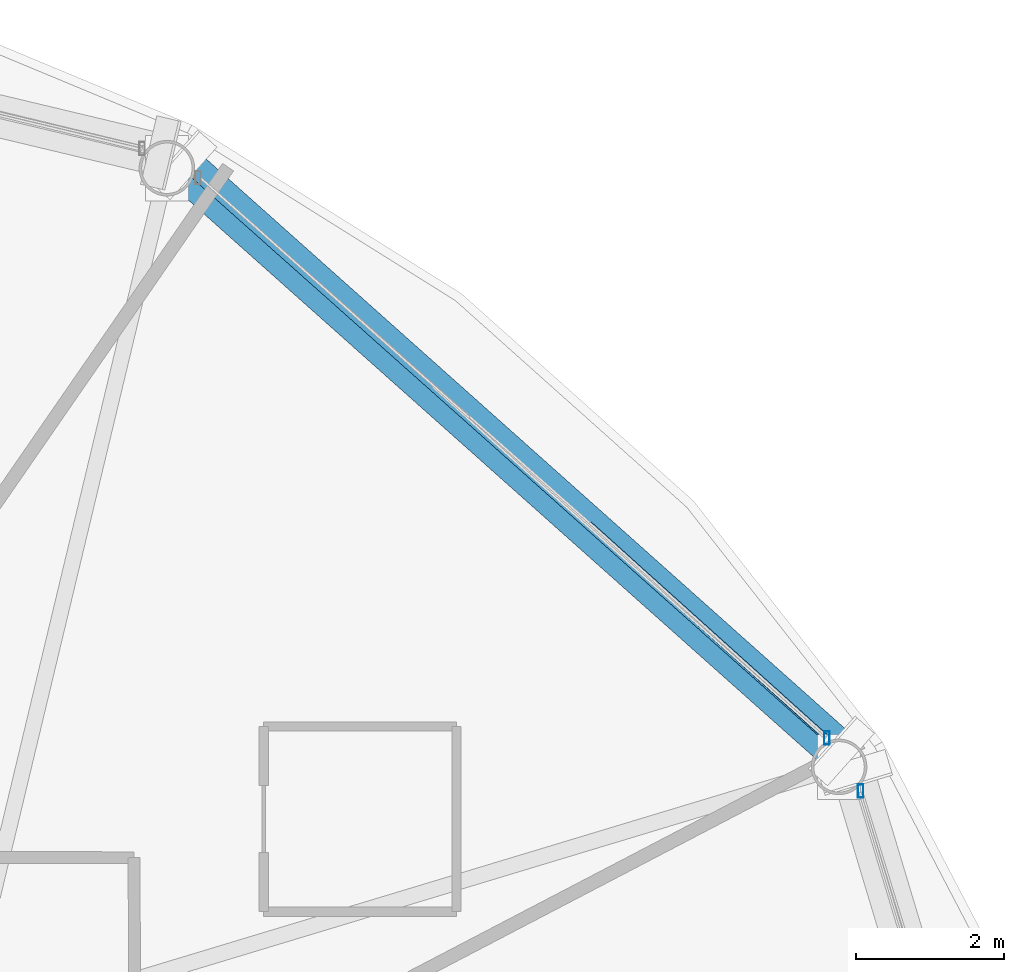
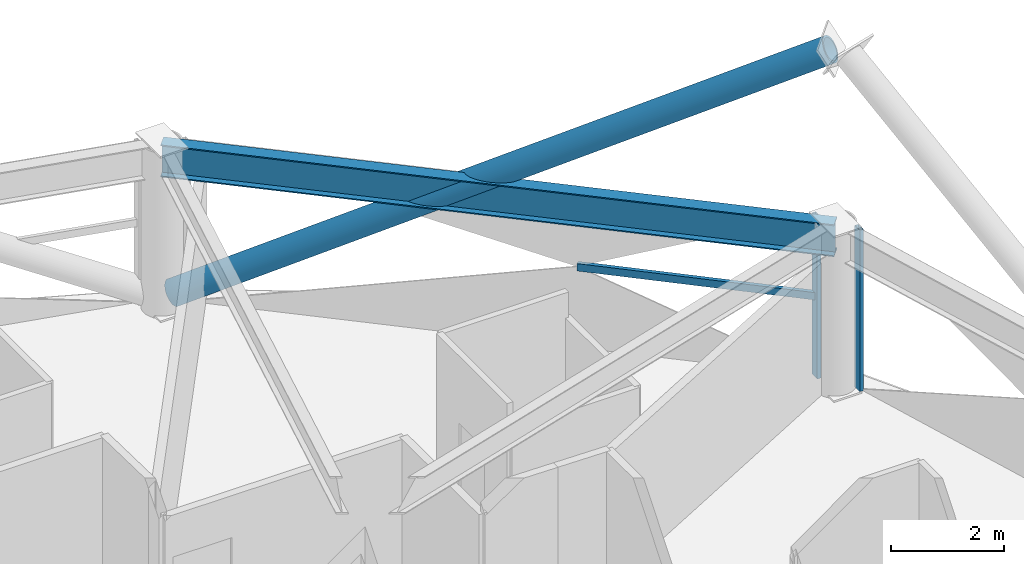
# One storey, part 18 of 29: 4 members, 1 beam, 2 elements without a shape of their own.
"""IFC4 building model written with IfcOpenShell, lengths in metres."""

from ifc_helpers import new_model, si_unit, direction, frame, origin, origin_2d, place, context, subcontext, project, spatial, hollow_rectangle, hollow_circle, i_section, extrude, material, layer, layer_set, material_profile, profile_set, type_object, element, aggregate, save


model = new_model("IFC4")

# Units and contexts
model_context = context("Model", 3, precision=1e-05, world=origin(), true_north=direction((0.0, 1.0)))
body_context = subcontext(model_context, "Body", "Model", "MODEL_VIEW")
ifc_project = project(units=[si_unit("LENGTHUNIT", "METRE"), si_unit("AREAUNIT", "SQUARE_METRE"), si_unit("VOLUMEUNIT", "CUBIC_METRE"), si_unit("PLANEANGLEUNIT", "RADIAN"), si_unit("MASSUNIT", "GRAM", prefix="KILO")], contexts=[model_context])

# Site, building, storey
site_placement = place(None, origin())
site = spatial("IfcSite", under=ifc_project, at=site_placement, CompositionType="ELEMENT")
building_placement = place(site_placement, origin())
building = spatial("IfcBuilding", under=site, at=building_placement, Name="Vantalir Tower", CompositionType="ELEMENT")
storey_placement = place(building_placement, frame((0.0, 0.0, 149.699951171875)))
storey = spatial("IfcBuildingStorey", under=building, at=storey_placement, Name="L37", CompositionType="ELEMENT", Elevation=149.699951171875)

# Beam
ifc_material_1 = material(Name="Steel S460", Category="steel")
ifc_material_profile_1 = material_profile(ifc_material_1, i_section(OverallWidth=0.256103515625, OverallDepth=0.693115234375, WebThickness=0.014404296875, FlangeThickness=0.023681640625, at=origin_2d()), Name="Steel S460")
ifc_profile_set_1 = profile_set([ifc_material_profile_1], Name="Steel S460")
beam_type = type_object("IfcBeamType", Name="BM-RG-686x254", PredefinedType="USERDEFINED", material=ifc_profile_set_1)
beam_placement = place(storey_placement, frame((52.962890625, 36.033935546875, 3.22412109375), z_axis=(-0.746787977639, 0.665062189915, 0.0), x_axis=(-0.665062189915, -0.746787977639, 0.0)))
element("IfcBeam", 1, at=beam_placement, inside=storey, type_object=beam_type, Name="L37 Circumferential Ring Girder 02", ObjectType="GIRDER", PredefinedType="USERDEFINED", context=body_context, shape_type="SweptSolid", body=[
    extrude(i_section(OverallWidth=0.256103515625, OverallDepth=0.693115234375, WebThickness=0.014404296875, FlangeThickness=0.023681640625, at=origin_2d()), origin(), (0.0, 0.0, 1.0), 12.146484375),
])

# Curtain wall, member
ifc_material_2 = material(Name="Champagne-silver PVDF aluminium and double-silver Low-E glass", Category="aluminium")
ifc_layer = layer(ifc_material_2, 0.199951171875)
ifc_layer_set = layer_set([ifc_layer], Name="Champagne-silver PVDF aluminium and double-silver Low-E glass")
curtain_wall_type = type_object("IfcCurtainWallType", Name="CW-DIAMOND-Z2", PredefinedType="USERDEFINED", material=ifc_layer_set)
curtain_wall_1_placement = place(storey_placement, origin())
curtain_wall_1 = element("IfcCurtainWall", 2, at=curtain_wall_1_placement, inside=storey, type_object=curtain_wall_type, Name="L37 Quilted Pyramid-Diamond Curtain Wall S01", ObjectType="UNITISED CURTAIN WALL", PredefinedType="USERDEFINED")
ifc_material_3 = material(Name="Champagne-silver PVDF aluminium 6063-T6", Category="aluminium")
ifc_material_profile_2 = material_profile(ifc_material_3, hollow_rectangle(XDim=0.074951171875, YDim=0.179931640625, WallThickness=0.00390625, at=origin_2d()), Name="Champagne-silver PVDF aluminium 6063-T6")
ifc_profile_set_2 = profile_set([ifc_material_profile_2], Name="Champagne-silver PVDF aluminium 6063-T6")
member_type_1 = type_object("IfcMemberType", Name="CWM-180x75", PredefinedType="MULLION", material=ifc_profile_set_2)
member_1_placement = place(storey_placement, frame((53.25390625, 35.7080078125, 0.045166015625), z_axis=(0.0, 0.0, 1.0), x_axis=(1.0, 0.0, 0.0)))
member_1 = element("IfcMember", 3, at=member_1_placement, type_object=member_type_1, Name="CW-L37-S01 Mullion 2", PredefinedType="MULLION", context=body_context, shape_type="SweptSolid", body=[
    extrude(hollow_rectangle(XDim=0.074951171875, YDim=0.179931640625, WallThickness=0.00390625, at=origin_2d()), origin(), (0.0, 0.0, 1.0), 3.47998046875),
])
aggregate(curtain_wall_1, [member_1])

# Curtain wall, members
curtain_wall_2_placement = place(storey_placement, origin())
curtain_wall_2 = element("IfcCurtainWall", 4, at=curtain_wall_2_placement, inside=storey, type_object=curtain_wall_type, Name="L37 Quilted Pyramid-Diamond Curtain Wall S02", ObjectType="UNITISED CURTAIN WALL", PredefinedType="USERDEFINED")
member_2_placement = place(storey_placement, frame((52.799072265625, 36.422119140625, 0.045166015625), z_axis=(0.0, 0.0, 1.0), x_axis=(1.0, 0.0, 0.0)))
member_2 = element("IfcMember", 5, at=member_2_placement, type_object=member_type_1, Name="CW-L37-S02 Mullion 1", PredefinedType="MULLION", context=body_context, shape_type="SweptSolid", body=[
    extrude(hollow_rectangle(XDim=0.074951171875, YDim=0.179931640625, WallThickness=0.00390625, at=origin_2d()), origin(), (0.0, 0.0, 1.0), 3.47998046875),
])
ifc_material_profile_3 = material_profile(ifc_material_3, hollow_rectangle(XDim=0.074951171875, YDim=0.159912109375, WallThickness=0.00390625, at=origin_2d()), Name="Champagne-silver PVDF aluminium 6063-T6")
ifc_profile_set_3 = profile_set([ifc_material_profile_3], Name="Champagne-silver PVDF aluminium 6063-T6")
member_type_2 = type_object("IfcMemberType", Name="CWT-160x75", PredefinedType="USERDEFINED", material=ifc_profile_set_3)
member_3_placement = place(storey_placement, frame((52.799072265625, 36.422119140625, 1.78515625), z_axis=(-0.742905711405, 0.669396074056, 0.0), x_axis=(-0.669396074056, -0.742905711405, 0.0)))
member_3 = element("IfcMember", 6, at=member_3_placement, type_object=member_type_2, Name="CW-L37-S02 Pyramid Fold Ridge Transom", ObjectType="TRANSOM", PredefinedType="USERDEFINED", context=body_context, shape_type="SweptSolid", body=[
    extrude(hollow_rectangle(XDim=0.074951171875, YDim=0.159912109375, WallThickness=0.00390625, at=origin_2d()), origin(), (0.0, 0.0, 1.0), 4.314208984375),
])
aggregate(curtain_wall_2, [member_2, member_3])

# Member
ifc_material_profile_4 = material_profile(ifc_material_1, hollow_circle(Radius=0.260009765625, WallThickness=0.0380859375, at=origin_2d()), Name="Steel S460")
ifc_profile_set_4 = profile_set([ifc_material_profile_4], Name="Steel S460")
member_type_3 = type_object("IfcMemberType", Name="MEM-DB-520x38", PredefinedType="BRACE", material=ifc_profile_set_4)
member_4_placement = place(storey_placement, frame((44.12890625, 44.15087890625, 0.191162109375), z_axis=(0.644339204454, -0.574478802218, 0.504778263602), x_axis=(0.665484438185, 0.746411724542, 0.0)))
element("IfcMember", 7, at=member_4_placement, inside=storey, type_object=member_type_3, Name="L37 Perimeter S460 Diagrid Brace R07R", PredefinedType="BRACE", context=body_context, shape_type="SweptSolid", body=[
    extrude(hollow_circle(Radius=0.260009765625, WallThickness=0.0380859375, at=origin_2d()), origin(), (0.0, 0.0, 1.0), 13.74462890625),
])

save(model, "model.ifc")
